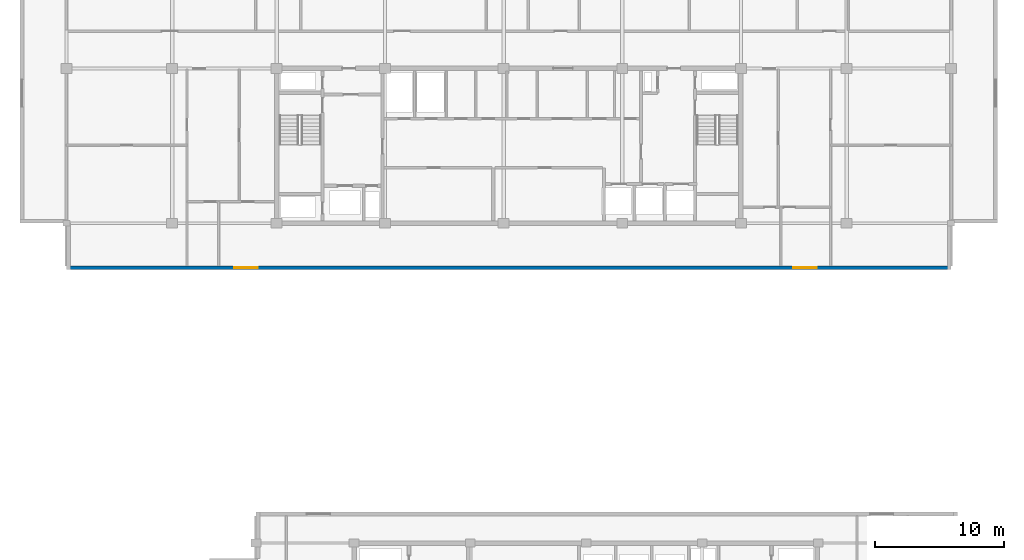
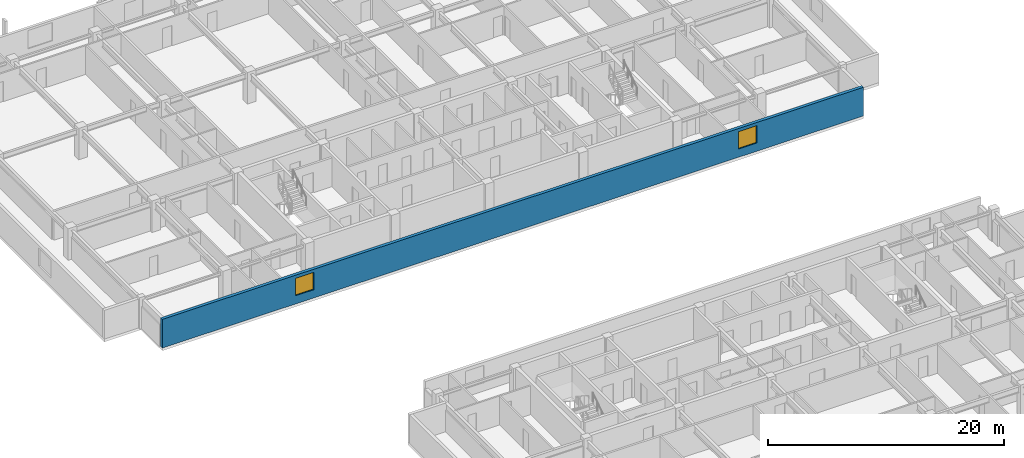
# One storey, part 9 of 22: 2 windows, 1 wall, 2 openings.
"""IFC4 building model written with IfcOpenShell, lengths in metres."""

from ifc_helpers import new_model, si_unit, direction, frame, frame_2d, origin, place, context, subcontext, project, spatial, rectangle, extrude, material, layer, layer_set, type_object, element, fill, save


model = new_model("IFC4")

# Units and contexts
model_context = context("Model", 3, precision=1e-05, world=origin(), true_north=direction((0.0, 1.0)))
body_context = subcontext(model_context, "Body", "Model", "MODEL_VIEW")
ifc_project = project(units=[si_unit("LENGTHUNIT", "METRE"), si_unit("AREAUNIT", "SQUARE_METRE"), si_unit("VOLUMEUNIT", "CUBIC_METRE"), si_unit("PLANEANGLEUNIT", "RADIAN"), si_unit("MASSUNIT", "GRAM", prefix="KILO")], contexts=[model_context])

# Site, building, storey
site_placement = place(None, origin())
site = spatial("IfcSite", under=ifc_project, at=site_placement, CompositionType="ELEMENT")
building_placement = place(site_placement, origin())
building = spatial("IfcBuilding", under=site, at=building_placement, Name="Korimba Cascade Residences", CompositionType="ELEMENT")
storey_placement = place(building_placement, frame((0.0, 0.0, 191.35009765625)))
storey = spatial("IfcBuildingStorey", under=building, at=storey_placement, Name="L55", CompositionType="ELEMENT", Elevation=191.35009765625)

# Wall, openings, windows
ifc_material_1 = material(Name="Precast concrete C40/50", Category="concrete")
ifc_layer = layer(ifc_material_1, 0.300048828125)
ifc_layer_set = layer_set([ifc_layer], Name="Precast concrete C40/50")
wall_type = type_object("IfcWallType", Name="EW-STONE-300", PredefinedType="STANDARD", material=ifc_layer_set)
wall_placement = place(storey_placement, frame((59.800048828125, 51.75, 0.0), z_axis=(0.0, 0.0, 1.0), x_axis=(1.0, 0.0, 0.0)))
wall = element("IfcWall", 1, at=wall_placement, inside=storey, type_object=wall_type, Name="L55 T1 Perimeter Stone Wall E00", PredefinedType="STANDARD", context=body_context, shape_type="SweptSolid", body=[
    extrude(rectangle(XDim=68.599853515625, YDim=0.300048828125, at=frame_2d((34.2998046875, 0.0))), origin(), (0.0, 0.0, 1.0), 2.969970703125),
])
opening_1_placement = place(wall_placement, frame((13.02490234375, 0.0, 0.85009765625)))
opening_1 = element("IfcOpeningElement", 2, at=opening_1_placement, cuts=wall, Name="Opening W-02", PredefinedType="OPENING", context=body_context, shape_type="SweptSolid", body=[
    extrude(rectangle(XDim=1.800048828125, YDim=1.800048828125, at=frame_2d((0.89990234375, 0.89990234375))), frame((0.0, 0.16015625, 0.0), z_axis=(0.0, -1.0, 0.0), x_axis=(1.0, 0.0, 0.0)), (0.0, 0.0, 1.0), 0.320068359375),
])
opening_2_placement = place(wall_placement, frame((56.375, 0.0, 0.85009765625)))
opening_2 = element("IfcOpeningElement", 3, at=opening_2_placement, cuts=wall, Name="Opening W-02", PredefinedType="OPENING", context=body_context, shape_type="SweptSolid", body=[
    extrude(rectangle(XDim=1.800048828125, YDim=1.800048828125, at=frame_2d((0.89990234375, 0.89990234375))), frame((0.0, 0.16015625, 0.0), z_axis=(0.0, -1.0, 0.0), x_axis=(1.0, 0.0, 0.0)), (0.0, 0.0, 1.0), 0.320068359375),
])
ifc_material_2 = material(Name="Double-Glazed Aluminium Window", Category="aluminium")
window_type = type_object("IfcWindowType", Name="WIN-BED-1800", PartitioningType="SINGLE_PANEL", PredefinedType="WINDOW", material=ifc_material_2)
window_1_placement = place(opening_1_placement, origin())
window_1 = element("IfcWindow", 4, at=window_1_placement, inside=storey, type_object=window_type, Name="L55 T1 South Corner Bedroom Window 1", OverallHeight=1.800048828125, OverallWidth=1.800048828125, PartitioningType="SINGLE_PANEL", PredefinedType="WINDOW", context=body_context, shape_type="SweptSolid", body=[
    extrude(rectangle(XDim=1.800048828125, YDim=1.800048828125, at=frame_2d((0.89990234375, 0.89990234375))), frame((0.0, 0.030029296875, 0.0), z_axis=(0.0, -1.0, 0.0), x_axis=(1.0, 0.0, 0.0)), (0.0, 0.0, 1.0), 0.06005859375),
])
fill(opening_1, window_1)
window_2_placement = place(opening_2_placement, origin())
window_2 = element("IfcWindow", 5, at=window_2_placement, inside=storey, type_object=window_type, Name="L55 T1 South Corner Bedroom Window 2", OverallHeight=1.800048828125, OverallWidth=1.800048828125, PartitioningType="SINGLE_PANEL", PredefinedType="WINDOW", context=body_context, shape_type="SweptSolid", body=[
    extrude(rectangle(XDim=1.800048828125, YDim=1.800048828125, at=frame_2d((0.89990234375, 0.89990234375))), frame((0.0, 0.030029296875, 0.0), z_axis=(0.0, -1.0, 0.0), x_axis=(1.0, 0.0, 0.0)), (0.0, 0.0, 1.0), 0.06005859375),
])
fill(opening_2, window_2)

save(model, "model.ifc")
